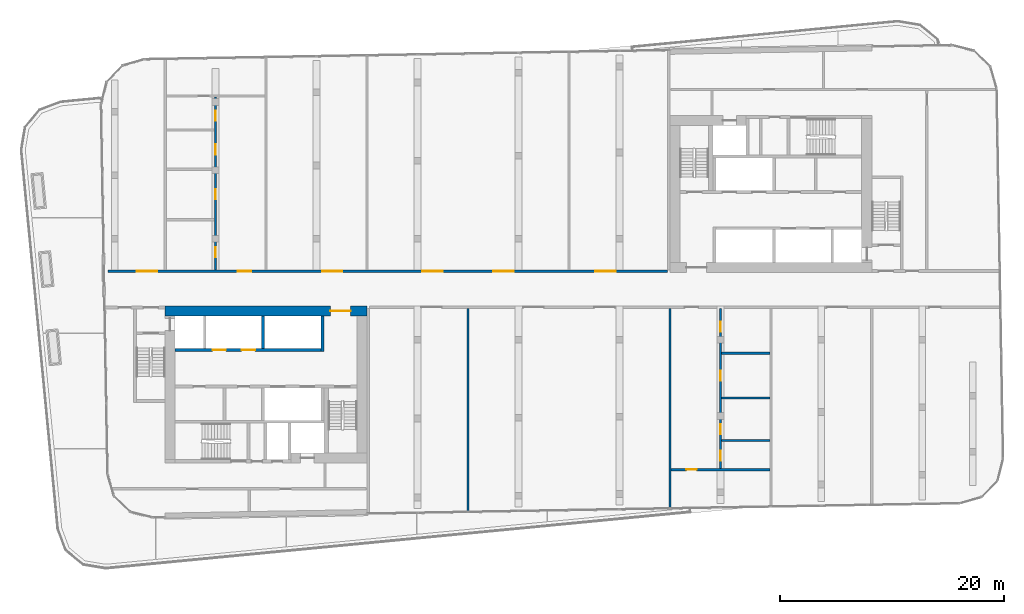
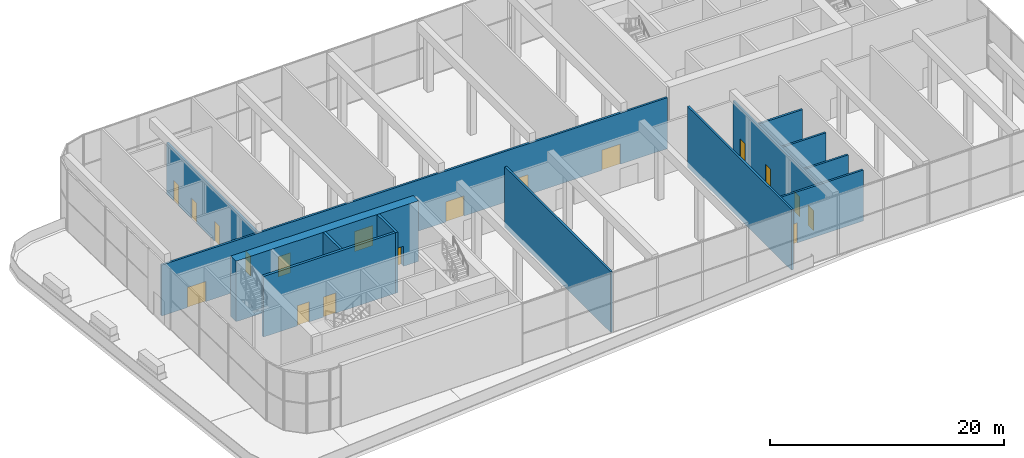
# One storey, part 13 of 24: 18 doors, 13 walls, 18 openings.
"""IFC4 building model written with IfcOpenShell, lengths in metres."""

import ifcopenshell
import ifcopenshell.guid

model = None  # the IFC model being written
_history = None  # IfcOwnerHistory: only IFC2X3 demands one
_inside = {}  # id of a spatial element -> (the spatial element, [elements in it])
_under = {}  # id of a project, library or spatial element -> (it, [spatial elements below it])
_declared = {}  # id of a project -> (the project, [libraries it declares])
_typed = {}  # id of a type object -> (the type object, [elements of that type])
_made_of = {}  # id of a material, layer set ... -> (it, [elements and type objects made of it])


def new_model(schema):
    """Start an empty IFC model of exactly this schema.

    Asked for "IFC4X3", IfcOpenShell would pick the latest addendum, in which some entities
    have other attributes; the version numbers below select the first issue.
    IFC2X3 requires an IfcOwnerHistory on every rooted entity: one is made here for all.
    """
    global model, _history
    if schema == "IFC4X3":
        model = ifcopenshell.file(schema_version=(4, 3, 0, 0))
    else:
        model = ifcopenshell.file(schema=schema)
    _inside.clear()
    _under.clear()
    _declared.clear()
    _typed.clear()
    _made_of.clear()
    _history = None
    if model.schema == "IFC2X3":
        org = make("IfcOrganization", Name="unknown")
        user = make(
            "IfcPersonAndOrganization",
            ThePerson=make("IfcPerson", FamilyName="unknown"),
            TheOrganization=org,
        )
        app = make(
            "IfcApplication",
            ApplicationDeveloper=org,
            Version="unknown",
            ApplicationFullName="unknown",
            ApplicationIdentifier="unknown",
        )
        _history = make(
            "IfcOwnerHistory",
            OwningUser=user,
            OwningApplication=app,
            ChangeAction="ADDED",
            CreationDate=0,
        )
    return model


def make(cls, **values):
    """One entity of the class cls with the attributes given. An attribute that is None is left unset."""
    return model.create_entity(
        cls, **{name: value for name, value in values.items() if value is not None}
    )


def rooted(cls, **values):
    """An entity with a GlobalId (a new one), such as an element, a storey or a relation."""
    return make(cls, GlobalId=ifcopenshell.guid.new(), OwnerHistory=_history, **values)


def si_unit(unit_type, name, prefix=None):
    """IfcSIUnit, for example si_unit("LENGTHUNIT", "METRE", prefix="MILLI")."""
    return make("IfcSIUnit", UnitType=unit_type, Prefix=prefix, Name=name)


def assignment(units):
    """IfcUnitAssignment: the units of a project."""
    return None if units is None else make("IfcUnitAssignment", Units=units)


def point(xyz):
    """IfcCartesianPoint."""
    return None if xyz is None else make("IfcCartesianPoint", Coordinates=xyz)


def direction(xyz):
    """IfcDirection."""
    return None if xyz is None else make("IfcDirection", DirectionRatios=xyz)


def frame(location, z_axis=None, x_axis=None):
    """IfcAxis2Placement3D, a coordinate frame: its origin and axes. An axis left out is left unset."""
    return make(
        "IfcAxis2Placement3D",
        Location=point(location),
        Axis=direction(z_axis),
        RefDirection=direction(x_axis),
    )


def frame_2d(location, x_axis=None):
    """IfcAxis2Placement2D, a coordinate frame in the plane: its origin and x axis."""
    return make(
        "IfcAxis2Placement2D", Location=point(location), RefDirection=direction(x_axis)
    )


def origin():
    """The frame at (0, 0, 0) with its axes left unset."""
    return frame((0.0, 0.0, 0.0))


def place(relative_to, where):
    """IfcLocalPlacement: puts the frame where relative to a parent placement (None: the world)."""
    return make(
        "IfcLocalPlacement", PlacementRelTo=relative_to, RelativePlacement=where
    )


def context(
    kind, dimensions, precision=None, world=None, true_north=None, identifier=None
):
    """IfcGeometricRepresentationContext, for example the 3D "Model" context."""
    return make(
        "IfcGeometricRepresentationContext",
        ContextIdentifier=identifier,
        ContextType=kind,
        CoordinateSpaceDimension=dimensions,
        Precision=precision,
        WorldCoordinateSystem=world,
        TrueNorth=true_north,
    )


def subcontext(parent, identifier, kind, view, scale=None):
    """IfcGeometricRepresentationSubContext, for example "Body" below "Model"."""
    return make(
        "IfcGeometricRepresentationSubContext",
        ContextIdentifier=identifier,
        ContextType=kind,
        ParentContext=parent,
        TargetScale=scale,
        TargetView=view,
    )


def project(units=None, contexts=None):
    """IfcProject with its units and contexts."""
    return rooted(
        "IfcProject",
        Name="project",
        RepresentationContexts=contexts,
        UnitsInContext=assignment(units),
    )


def spatial(cls, under=None, at=None, **own):
    """A site, building, storey or space (cls), placed at a placement, below another one or the project."""
    s = rooted(cls, ObjectPlacement=at, **own)
    if under is not None:
        _under.setdefault(under.id(), (under, []))[1].append(s)
    return s


def profile(cls, at=None, kind="AREA", **sizes):
    """A parametric profile (cls). Its sizes go by their IFC names, for example OverallWidth=200.0."""
    return make(cls, ProfileType=kind, Position=at, **sizes)


def rectangle(**sizes):
    """IfcRectangleProfileDef."""
    return profile("IfcRectangleProfileDef", **sizes)


def extrude(swept, where, along, depth):
    """IfcExtrudedAreaSolid: the profile swept, set in the frame where, extruded along a direction by depth."""
    return make(
        "IfcExtrudedAreaSolid",
        SweptArea=swept,
        Position=where,
        ExtrudedDirection=direction(along),
        Depth=depth,
    )


def shape(context_of_items, identifier, shape_type, items):
    """IfcShapeRepresentation: the items that make up one representation, for example the "Body"."""
    return make(
        "IfcShapeRepresentation",
        ContextOfItems=context_of_items,
        RepresentationIdentifier=identifier,
        RepresentationType=shape_type,
        Items=items,
    )


def material(Name=None, Category=None):
    """IfcMaterial."""
    return make("IfcMaterial", Name=Name, Category=Category)


def layer(
    of_material, thickness, ventilated=None, Name=None, Category=None, Priority=None
):
    """IfcMaterialLayer: one layer of a wall or slab, of a material (None: an air gap)."""
    return make(
        "IfcMaterialLayer",
        Material=of_material,
        LayerThickness=thickness,
        IsVentilated=ventilated,
        Name=Name,
        Category=Category,
        Priority=Priority,
    )


def layer_set(layers, Name=None):
    """IfcMaterialLayerSet."""
    return make("IfcMaterialLayerSet", MaterialLayers=layers, LayerSetName=Name)


def made_of(thing, what):
    """Note that an element or type object is made of a material, layer set ...; save() writes the relation."""
    if what is not None:
        _made_of.setdefault(what.id(), (what, []))[1].append(thing)
    return thing


def type_object(cls, material=None, **own):
    """A type object (cls), such as IfcWallType, which elements share."""
    return made_of(rooted(cls, **own), material)


def element(
    cls,
    number,
    at=None,
    inside=None,
    cuts=None,
    type_object=None,
    material=None,
    context=None,
    identifier="Body",
    shape_type=None,
    held_by="IfcProductDefinitionShape",
    body=None,
    shapes=None,
    **own,
):
    """One element of the class cls, such as IfcWall. Its Tag is "e" and its number.

    at: its placement. inside: the storey or other place that contains it. cuts: it is an
    opening in that element (IfcRelVoidsElement). A single representation is given by context,
    identifier, shape_type and body (its items); several are given by shapes. held_by: the class
    of the entity that holds the representations. save() writes the other relations.
    """
    e = rooted(cls, Tag="e%d" % number, ObjectPlacement=at, **own)
    if body is not None:
        shapes = [shape(context, identifier, shape_type, body)]
    if shapes is not None:
        e.Representation = make(held_by, Representations=shapes)
    if inside is not None:
        _inside.setdefault(inside.id(), (inside, []))[1].append(e)
    if cuts is not None:
        rooted(
            "IfcRelVoidsElement", RelatingBuildingElement=cuts, RelatedOpeningElement=e
        )
    if type_object is not None:
        _typed.setdefault(type_object.id(), (type_object, []))[1].append(e)
    return made_of(e, material)


def fill(opening, filler):
    """IfcRelFillsElement: the door or window that sits in an opening."""
    return rooted(
        "IfcRelFillsElement",
        RelatingOpeningElement=opening,
        RelatedBuildingElement=filler,
    )


def aggregate(whole, parts):
    """IfcRelAggregates: a whole, such as a stair, and the parts it consists of."""
    return rooted("IfcRelAggregates", RelatingObject=whole, RelatedObjects=parts)


def save(model, path):
    """Write the relations noted so far, then the file.

    IfcRelAggregates (storeys below a building ...), IfcRelContainedInSpatialStructure (elements
    in a storey), IfcRelDefinesByType, IfcRelAssociatesMaterial and IfcRelDeclares: one each for
    every whole, place, type object, material and project.
    """
    for whole, parts in _under.values():
        aggregate(whole, parts)
    for where, things in _inside.values():
        rooted(
            "IfcRelContainedInSpatialStructure",
            RelatedElements=things,
            RelatingStructure=where,
        )
    for kind, things in _typed.values():
        rooted("IfcRelDefinesByType", RelatedObjects=things, RelatingType=kind)
    for what, things in _made_of.values():
        rooted("IfcRelAssociatesMaterial", RelatedObjects=things, RelatingMaterial=what)
    for by, libraries in _declared.values():
        rooted("IfcRelDeclares", RelatingContext=by, RelatedDefinitions=libraries)
    model.write(path)


model = new_model("IFC4")

# Units and contexts
model_context = context("Model", 3, precision=1e-05, world=origin(), true_north=direction((0.0, 1.0)))
body_context = subcontext(model_context, "Body", "Model", "MODEL_VIEW")
ifc_project = project(units=[si_unit("LENGTHUNIT", "METRE"), si_unit("AREAUNIT", "SQUARE_METRE"), si_unit("VOLUMEUNIT", "CUBIC_METRE"), si_unit("PLANEANGLEUNIT", "RADIAN"), si_unit("MASSUNIT", "GRAM", prefix="KILO")], contexts=[model_context])

# Site, building, storey
site_placement = place(None, origin())
site = spatial("IfcSite", under=ifc_project, at=site_placement, CompositionType="ELEMENT")
building_placement = place(site_placement, origin())
building = spatial("IfcBuilding", under=site, at=building_placement, Name="Kajstack Hotel Tower", CompositionType="ELEMENT")
storey_placement = place(building_placement, frame((0.0, 0.0, 211.10009765625)))
storey = spatial("IfcBuildingStorey", under=building, at=storey_placement, Name="L51", CompositionType="ELEMENT", Elevation=211.10009765625)

# Wall, opening, door
ifc_material_1 = material(Name="Concrete C60/75", Category="concrete")
ifc_layer_1 = layer(ifc_material_1, 0.89990234375)
ifc_layer_set_1 = layer_set([ifc_layer_1], Name="Core wall 900")
wall_type_1 = type_object("IfcWallType", Name="Core wall 900", PredefinedType="SHEAR", material=ifc_layer_set_1)
wall_1_placement = place(storey_placement, frame((-31.5, -1.949951171875, 0.0), z_axis=(0.0, 0.0, 1.0), x_axis=(1.0, 0.0, 0.0)))
wall_1 = element("IfcWall", 1, at=wall_1_placement, inside=storey, type_object=wall_type_1, Name="Core wall W RN", PredefinedType="SHEAR", context=body_context, shape_type="SweptSolid", body=[
    extrude(rectangle(XDim=18.0, YDim=0.89990234375, at=frame_2d((9.0, 0.0))), origin(), (0.0, 0.0, 1.0), 6.31982421875),
])
opening_1_placement = place(wall_1_placement, frame((14.72509765625, 0.0, 0.0)))
opening_1 = element("IfcOpeningElement", 2, at=opening_1_placement, cuts=wall_1, Name="Opening 51W07", PredefinedType="OPENING", context=body_context, shape_type="SweptSolid", body=[
    extrude(rectangle(XDim=1.800048828125, YDim=2.10009765625, at=frame_2d((0.89990234375, 1.050048828125))), frame((0.0, 0.4599609375, 0.0), z_axis=(0.0, -1.0, 0.0), x_axis=(1.0, 0.0, 0.0)), (0.0, 0.0, 1.0), 0.919921875),
])
ifc_material_2 = material(Name="Glazed steel frame, fire-rated glass", Category="steel")
door_type_1 = type_object("IfcDoorType", Name="Lobby double door 1800", OperationType="DOUBLE_DOOR_DOUBLE_SWING", PredefinedType="DOOR", material=ifc_material_2)
door_1_placement = place(opening_1_placement, origin())
door_1 = element("IfcDoor", 3, at=door_1_placement, inside=storey, type_object=door_type_1, Name="Door 51W07", OperationType="DOUBLE_DOOR_DOUBLE_SWING", OverallHeight=2.10009765625, OverallWidth=1.800048828125, PredefinedType="DOOR", context=body_context, shape_type="SweptSolid", body=[
    extrude(rectangle(XDim=1.800048828125, YDim=2.10009765625, at=frame_2d((0.89990234375, 1.050048828125))), frame((0.0, 0.02490234375, 0.0), z_axis=(0.0, -1.0, 0.0), x_axis=(1.0, 0.0, 0.0)), (0.0, 0.0, 1.0), 0.050048828125),
])
fill(opening_1, door_1)

# Wall
ifc_material_3 = material(Name="Concrete C50/60", Category="concrete")
ifc_layer_2 = layer(ifc_material_3, 0.300048828125)
ifc_layer_set_2 = layer_set([ifc_layer_2], Name="Hoistway divider wall 300")
wall_type_2 = type_object("IfcWallType", Name="Hoistway divider wall 300", PredefinedType="SHEAR", material=ifc_layer_set_2)
wall_2_placement = place(storey_placement, frame((-22.77490234375, -5.300048828125, 0.0), z_axis=(0.0, 0.0, 1.0), x_axis=(0.0, 1.0, 0.0)))
element("IfcWall", 4, at=wall_2_placement, inside=storey, type_object=wall_type_2, Name="Core wall W AP2", PredefinedType="SHEAR", context=body_context, shape_type="SweptSolid", body=[
    extrude(rectangle(XDim=2.900146484375, YDim=0.25, at=frame_2d((1.4501953125, 0.0))), origin(), (0.0, 0.0, 1.0), 6.31982421875),
])

# Wall, openings, doors
ifc_material_4 = material(Name="Gypsum board on steel studs, mineral wool", Category="steel")
ifc_layer_3 = layer(ifc_material_4, 0.199951171875)
ifc_layer_set_3 = layer_set([ifc_layer_3], Name="Public partition 200")
wall_type_3 = type_object("IfcWallType", Name="Public partition 200", PredefinedType="PARTITIONING", material=ifc_layer_set_3)
wall_3_placement = place(storey_placement, frame((-27.0, 1.699951171875, 0.0), z_axis=(0.0, 0.0, 1.0), x_axis=(0.0, 1.0, 0.0)))
wall_3 = element("IfcWall", 5, at=wall_3_placement, inside=storey, type_object=wall_type_3, Name="Partition C3CW", PredefinedType="PARTITIONING", context=body_context, shape_type="SweptSolid", body=[
    extrude(rectangle(XDim=15.429443359375, YDim=0.199951171875, at=frame_2d((7.71484375, 0.0))), origin(), (0.0, 0.0, 1.0), 5.31982421875),
])
opening_2_placement = place(wall_3_placement, frame((1.14990234375, 0.0, 0.0)))
opening_2 = element("IfcOpeningElement", 6, at=opening_2_placement, cuts=wall_3, Name="Opening 51P06", PredefinedType="OPENING", context=body_context, shape_type="SweptSolid", body=[
    extrude(rectangle(XDim=0.89990234375, YDim=2.10009765625, at=frame_2d((0.449951171875, 1.050048828125))), frame((0.0, 0.10986328125, 0.0), z_axis=(0.0, -1.0, 0.0), x_axis=(1.0, 0.0, 0.0)), (0.0, 0.0, 1.0), 0.219970703125),
])
opening_3_placement = place(wall_3_placement, frame((6.300048828125, 0.0, 0.0)))
opening_3 = element("IfcOpeningElement", 7, at=opening_3_placement, cuts=wall_3, Name="Opening 51P07", PredefinedType="OPENING", context=body_context, shape_type="SweptSolid", body=[
    extrude(rectangle(XDim=0.89990234375, YDim=2.10009765625, at=frame_2d((0.449951171875, 1.050048828125))), frame((0.0, 0.10986328125, 0.0), z_axis=(0.0, -1.0, 0.0), x_axis=(1.0, 0.0, 0.0)), (0.0, 0.0, 1.0), 0.219970703125),
])
opening_4_placement = place(wall_3_placement, frame((10.300048828125, 0.0, 0.0)))
opening_4 = element("IfcOpeningElement", 8, at=opening_4_placement, cuts=wall_3, Name="Opening 51P08", PredefinedType="OPENING", context=body_context, shape_type="SweptSolid", body=[
    extrude(rectangle(XDim=0.89990234375, YDim=2.10009765625, at=frame_2d((0.449951171875, 1.050048828125))), frame((0.0, 0.10986328125, 0.0), z_axis=(0.0, -1.0, 0.0), x_axis=(1.0, 0.0, 0.0)), (0.0, 0.0, 1.0), 0.219970703125),
])
opening_5_placement = place(wall_3_placement, frame((13.31494140625, 0.0, 0.0)))
opening_5 = element("IfcOpeningElement", 9, at=opening_5_placement, cuts=wall_3, Name="Opening 51P09", PredefinedType="OPENING", context=body_context, shape_type="SweptSolid", body=[
    extrude(rectangle(XDim=0.89990234375, YDim=2.10009765625, at=frame_2d((0.449951171875, 1.050048828125))), frame((0.0, 0.10986328125, 0.0), z_axis=(0.0, -1.0, 0.0), x_axis=(1.0, 0.0, 0.0)), (0.0, 0.0, 1.0), 0.219970703125),
])
ifc_material_5 = material(Name="Timber leaf", Category="wood")
door_type_2 = type_object("IfcDoorType", Name="Public room door 900", OperationType="SINGLE_SWING_LEFT", PredefinedType="DOOR", material=ifc_material_5)
door_2_placement = place(opening_2_placement, origin())
door_2 = element("IfcDoor", 10, at=door_2_placement, inside=storey, type_object=door_type_2, Name="Door 51P06", OperationType="SINGLE_SWING_LEFT", OverallHeight=2.10009765625, OverallWidth=0.89990234375, PredefinedType="DOOR", context=body_context, shape_type="SweptSolid", body=[
    extrude(rectangle(XDim=0.89990234375, YDim=2.10009765625, at=frame_2d((0.449951171875, 1.050048828125))), frame((0.0, 0.02490234375, 0.0), z_axis=(0.0, -1.0, 0.0), x_axis=(1.0, 0.0, 0.0)), (0.0, 0.0, 1.0), 0.050048828125),
])
fill(opening_2, door_2)
door_3_placement = place(opening_3_placement, origin())
door_3 = element("IfcDoor", 11, at=door_3_placement, inside=storey, type_object=door_type_2, Name="Door 51P07", OperationType="SINGLE_SWING_LEFT", OverallHeight=2.10009765625, OverallWidth=0.89990234375, PredefinedType="DOOR", context=body_context, shape_type="SweptSolid", body=[
    extrude(rectangle(XDim=0.89990234375, YDim=2.10009765625, at=frame_2d((0.449951171875, 1.050048828125))), frame((0.0, 0.02490234375, 0.0), z_axis=(0.0, -1.0, 0.0), x_axis=(1.0, 0.0, 0.0)), (0.0, 0.0, 1.0), 0.050048828125),
])
fill(opening_3, door_3)
door_4_placement = place(opening_4_placement, origin())
door_4 = element("IfcDoor", 12, at=door_4_placement, inside=storey, type_object=door_type_2, Name="Door 51P08", OperationType="SINGLE_SWING_LEFT", OverallHeight=2.10009765625, OverallWidth=0.89990234375, PredefinedType="DOOR", context=body_context, shape_type="SweptSolid", body=[
    extrude(rectangle(XDim=0.89990234375, YDim=2.10009765625, at=frame_2d((0.449951171875, 1.050048828125))), frame((0.0, 0.02490234375, 0.0), z_axis=(0.0, -1.0, 0.0), x_axis=(1.0, 0.0, 0.0)), (0.0, 0.0, 1.0), 0.050048828125),
])
fill(opening_4, door_4)
door_5_placement = place(opening_5_placement, origin())
door_5 = element("IfcDoor", 13, at=door_5_placement, inside=storey, type_object=door_type_2, Name="Door 51P09", OperationType="SINGLE_SWING_LEFT", OverallHeight=2.10009765625, OverallWidth=0.89990234375, PredefinedType="DOOR", context=body_context, shape_type="SweptSolid", body=[
    extrude(rectangle(XDim=0.89990234375, YDim=2.10009765625, at=frame_2d((0.449951171875, 1.050048828125))), frame((0.0, 0.02490234375, 0.0), z_axis=(0.0, -1.0, 0.0), x_axis=(1.0, 0.0, 0.0)), (0.0, 0.0, 1.0), 0.050048828125),
])
fill(opening_5, door_5)

wall_4_placement = place(storey_placement, frame((-36.57177734375, 1.60009765625, 0.0), z_axis=(0.0, 0.0, 1.0), x_axis=(1.0, 0.0, 0.0)))
wall_4 = element("IfcWall", 14, at=wall_4_placement, inside=storey, type_object=wall_type_3, Name="Partition FW", PredefinedType="PARTITIONING", context=body_context, shape_type="SweptSolid", body=[
    extrude(rectangle(XDim=49.871826171875, YDim=0.199951171875, at=frame_2d((24.93603515625, 0.0))), origin(), (0.0, 0.0, 1.0), 5.31982421875),
])
opening_6_placement = place(wall_4_placement, frame((43.421630859375, 0.0, 0.0)))
opening_6 = element("IfcOpeningElement", 15, at=opening_6_placement, cuts=wall_4, Name="Opening 51P01", PredefinedType="OPENING", context=body_context, shape_type="SweptSolid", body=[
    extrude(rectangle(XDim=1.800048828125, YDim=2.10009765625, at=frame_2d((0.89990234375, 1.050048828125))), frame((0.0, 0.10986328125, 0.0), z_axis=(0.0, -1.0, 0.0), x_axis=(1.0, 0.0, 0.0)), (0.0, 0.0, 1.0), 0.219970703125),
])
opening_7_placement = place(wall_4_placement, frame((34.331787109375, 0.0, 0.0)))
opening_7 = element("IfcOpeningElement", 16, at=opening_7_placement, cuts=wall_4, Name="Opening 51P02", PredefinedType="OPENING", context=body_context, shape_type="SweptSolid", body=[
    extrude(rectangle(XDim=1.800048828125, YDim=2.10009765625, at=frame_2d((0.89990234375, 1.050048828125))), frame((0.0, 0.10986328125, 0.0), z_axis=(0.0, -1.0, 0.0), x_axis=(1.0, 0.0, 0.0)), (0.0, 0.0, 1.0), 0.219970703125),
])
opening_8_placement = place(wall_4_placement, frame((28.01171875, 0.0, 0.0)))
opening_8 = element("IfcOpeningElement", 17, at=opening_8_placement, cuts=wall_4, Name="Opening 51P03", PredefinedType="OPENING", context=body_context, shape_type="SweptSolid", body=[
    extrude(rectangle(XDim=1.800048828125, YDim=2.10009765625, at=frame_2d((0.89990234375, 1.050048828125))), frame((0.0, 0.10986328125, 0.0), z_axis=(0.0, -1.0, 0.0), x_axis=(1.0, 0.0, 0.0)), (0.0, 0.0, 1.0), 0.219970703125),
])
opening_9_placement = place(wall_4_placement, frame((19.07177734375, 0.0, 0.0)))
opening_9 = element("IfcOpeningElement", 18, at=opening_9_placement, cuts=wall_4, Name="Opening 51P04", PredefinedType="OPENING", context=body_context, shape_type="SweptSolid", body=[
    extrude(rectangle(XDim=1.800048828125, YDim=2.10009765625, at=frame_2d((0.89990234375, 1.050048828125))), frame((0.0, 0.10986328125, 0.0), z_axis=(0.0, -1.0, 0.0), x_axis=(1.0, 0.0, 0.0)), (0.0, 0.0, 1.0), 0.219970703125),
])
opening_10_placement = place(wall_4_placement, frame((11.546630859375, 0.0, 0.0)))
opening_10 = element("IfcOpeningElement", 19, at=opening_10_placement, cuts=wall_4, Name="Opening 51P05", PredefinedType="OPENING", context=body_context, shape_type="SweptSolid", body=[
    extrude(rectangle(XDim=1.199951171875, YDim=2.10009765625, at=frame_2d((0.60009765625, 1.050048828125))), frame((0.0, 0.10986328125, 0.0), z_axis=(0.0, -1.0, 0.0), x_axis=(1.0, 0.0, 0.0)), (0.0, 0.0, 1.0), 0.219970703125),
])
opening_11_placement = place(wall_4_placement, frame((2.562744140625, 0.0, 0.0)))
opening_11 = element("IfcOpeningElement", 20, at=opening_11_placement, cuts=wall_4, Name="Opening 51P11", PredefinedType="OPENING", context=body_context, shape_type="SweptSolid", body=[
    extrude(rectangle(XDim=1.800048828125, YDim=2.10009765625, at=frame_2d((0.89990234375, 1.050048828125))), frame((0.0, 0.10986328125, 0.0), z_axis=(0.0, -1.0, 0.0), x_axis=(1.0, 0.0, 0.0)), (0.0, 0.0, 1.0), 0.219970703125),
])
ifc_material_6 = material(Name="Timber leaf, fire-rated", Category="wood")
door_type_3 = type_object("IfcDoorType", Name="Public corridor door 1200", OperationType="SINGLE_SWING_LEFT", PredefinedType="DOOR", material=ifc_material_6)
door_6_placement = place(opening_10_placement, origin())
door_6 = element("IfcDoor", 21, at=door_6_placement, inside=storey, type_object=door_type_3, Name="Door 51P05", OperationType="SINGLE_SWING_LEFT", OverallHeight=2.10009765625, OverallWidth=1.199951171875, PredefinedType="DOOR", context=body_context, shape_type="SweptSolid", body=[
    extrude(rectangle(XDim=1.199951171875, YDim=2.10009765625, at=frame_2d((0.60009765625, 1.050048828125))), frame((0.0, 0.02490234375, 0.0), z_axis=(0.0, -1.0, 0.0), x_axis=(1.0, 0.0, 0.0)), (0.0, 0.0, 1.0), 0.050048828125),
])
fill(opening_10, door_6)
ifc_material_7 = material(Name="Glazed timber frame, fire-rated glass", Category="wood")
door_type_4 = type_object("IfcDoorType", Name="Public double door 1800", OperationType="DOUBLE_DOOR_DOUBLE_SWING", PredefinedType="DOOR", material=ifc_material_7)
door_7_placement = place(opening_6_placement, origin())
door_7 = element("IfcDoor", 22, at=door_7_placement, inside=storey, type_object=door_type_4, Name="Door 51P01", OperationType="DOUBLE_DOOR_DOUBLE_SWING", OverallHeight=2.10009765625, OverallWidth=1.800048828125, PredefinedType="DOOR", context=body_context, shape_type="SweptSolid", body=[
    extrude(rectangle(XDim=1.800048828125, YDim=2.10009765625, at=frame_2d((0.89990234375, 1.050048828125))), frame((0.0, 0.02490234375, 0.0), z_axis=(0.0, -1.0, 0.0), x_axis=(1.0, 0.0, 0.0)), (0.0, 0.0, 1.0), 0.050048828125),
])
fill(opening_6, door_7)
door_8_placement = place(opening_7_placement, origin())
door_8 = element("IfcDoor", 23, at=door_8_placement, inside=storey, type_object=door_type_4, Name="Door 51P02", OperationType="DOUBLE_DOOR_DOUBLE_SWING", OverallHeight=2.10009765625, OverallWidth=1.800048828125, PredefinedType="DOOR", context=body_context, shape_type="SweptSolid", body=[
    extrude(rectangle(XDim=1.800048828125, YDim=2.10009765625, at=frame_2d((0.89990234375, 1.050048828125))), frame((0.0, 0.02490234375, 0.0), z_axis=(0.0, -1.0, 0.0), x_axis=(1.0, 0.0, 0.0)), (0.0, 0.0, 1.0), 0.050048828125),
])
fill(opening_7, door_8)
door_9_placement = place(opening_8_placement, origin())
door_9 = element("IfcDoor", 24, at=door_9_placement, inside=storey, type_object=door_type_4, Name="Door 51P03", OperationType="DOUBLE_DOOR_DOUBLE_SWING", OverallHeight=2.10009765625, OverallWidth=1.800048828125, PredefinedType="DOOR", context=body_context, shape_type="SweptSolid", body=[
    extrude(rectangle(XDim=1.800048828125, YDim=2.10009765625, at=frame_2d((0.89990234375, 1.050048828125))), frame((0.0, 0.02490234375, 0.0), z_axis=(0.0, -1.0, 0.0), x_axis=(1.0, 0.0, 0.0)), (0.0, 0.0, 1.0), 0.050048828125),
])
fill(opening_8, door_9)
door_10_placement = place(opening_9_placement, origin())
door_10 = element("IfcDoor", 25, at=door_10_placement, inside=storey, type_object=door_type_4, Name="Door 51P04", OperationType="DOUBLE_DOOR_DOUBLE_SWING", OverallHeight=2.10009765625, OverallWidth=1.800048828125, PredefinedType="DOOR", context=body_context, shape_type="SweptSolid", body=[
    extrude(rectangle(XDim=1.800048828125, YDim=2.10009765625, at=frame_2d((0.89990234375, 1.050048828125))), frame((0.0, 0.02490234375, 0.0), z_axis=(0.0, -1.0, 0.0), x_axis=(1.0, 0.0, 0.0)), (0.0, 0.0, 1.0), 0.050048828125),
])
fill(opening_9, door_10)
door_11_placement = place(opening_11_placement, origin())
door_11 = element("IfcDoor", 26, at=door_11_placement, inside=storey, type_object=door_type_4, Name="Door 51P11", OperationType="DOUBLE_DOOR_DOUBLE_SWING", OverallHeight=2.10009765625, OverallWidth=1.800048828125, PredefinedType="DOOR", context=body_context, shape_type="SweptSolid", body=[
    extrude(rectangle(XDim=1.800048828125, YDim=2.10009765625, at=frame_2d((0.89990234375, 1.050048828125))), frame((0.0, 0.02490234375, 0.0), z_axis=(0.0, -1.0, 0.0), x_axis=(1.0, 0.0, 0.0)), (0.0, 0.0, 1.0), 0.050048828125),
])
fill(opening_11, door_11)

# Walls
wall_5_placement = place(storey_placement, frame((-4.5, -19.783935546875, 0.0), z_axis=(0.0, 0.0, 1.0), x_axis=(0.0, 1.0, 0.0)))
element("IfcWall", 27, at=wall_5_placement, inside=storey, type_object=wall_type_3, Name="Partition SPX0", PredefinedType="PARTITIONING", context=body_context, shape_type="SweptSolid", body=[
    extrude(rectangle(XDim=18.083984375, YDim=0.199951171875, at=frame_2d((9.0419921875, 0.0))), origin(), (0.0, 0.0, 1.0), 6.31982421875),
])
wall_6_placement = place(storey_placement, frame((13.5, -19.4697265625, 0.0), z_axis=(0.0, 0.0, 1.0), x_axis=(0.0, 1.0, 0.0)))
element("IfcWall", 28, at=wall_6_placement, inside=storey, type_object=wall_type_3, Name="Partition SPX1", PredefinedType="PARTITIONING", context=body_context, shape_type="SweptSolid", body=[
    extrude(rectangle(XDim=17.769775390625, YDim=0.199951171875, at=frame_2d((8.884765625, 0.0))), origin(), (0.0, 0.0, 1.0), 6.31982421875),
])

# Wall, openings, doors
wall_7_placement = place(storey_placement, frame((18.0, -15.9912109375, 0.0), z_axis=(0.0, 0.0, 1.0), x_axis=(0.0, 1.0, 0.0)))
wall_7 = element("IfcWall", 29, at=wall_7_placement, inside=storey, type_object=wall_type_3, Name="Partition SC2CW", PredefinedType="PARTITIONING", context=body_context, shape_type="SweptSolid", body=[
    extrude(rectangle(XDim=14.291259765625, YDim=0.199951171875, at=frame_2d((7.1455078125, 0.0))), origin(), (0.0, 0.0, 1.0), 5.31982421875),
])
opening_12_placement = place(wall_7_placement, frame((12.191162109375, 0.0, 0.0)))
opening_12 = element("IfcOpeningElement", 30, at=opening_12_placement, cuts=wall_7, Name="Opening 51P16", PredefinedType="OPENING", context=body_context, shape_type="SweptSolid", body=[
    extrude(rectangle(XDim=0.89990234375, YDim=2.10009765625, at=frame_2d((0.449951171875, 1.050048828125))), frame((0.0, 0.10986328125, 0.0), z_axis=(0.0, -1.0, 0.0), x_axis=(1.0, 0.0, 0.0)), (0.0, 0.0, 1.0), 0.219970703125),
])
opening_13_placement = place(wall_7_placement, frame((7.84130859375, 0.0, 0.0)))
opening_13 = element("IfcOpeningElement", 31, at=opening_13_placement, cuts=wall_7, Name="Opening 51P17", PredefinedType="OPENING", context=body_context, shape_type="SweptSolid", body=[
    extrude(rectangle(XDim=0.89990234375, YDim=2.10009765625, at=frame_2d((0.449951171875, 1.050048828125))), frame((0.0, 0.10986328125, 0.0), z_axis=(0.0, -1.0, 0.0), x_axis=(1.0, 0.0, 0.0)), (0.0, 0.0, 1.0), 0.219970703125),
])
opening_14_placement = place(wall_7_placement, frame((3.041259765625, 0.0, 0.0)))
opening_14 = element("IfcOpeningElement", 32, at=opening_14_placement, cuts=wall_7, Name="Opening 51P18", PredefinedType="OPENING", context=body_context, shape_type="SweptSolid", body=[
    extrude(rectangle(XDim=0.89990234375, YDim=2.10009765625, at=frame_2d((0.449951171875, 1.050048828125))), frame((0.0, 0.10986328125, 0.0), z_axis=(0.0, -1.0, 0.0), x_axis=(1.0, 0.0, 0.0)), (0.0, 0.0, 1.0), 0.219970703125),
])
opening_15_placement = place(wall_7_placement, frame((0.6953125, 0.0, 0.0)))
opening_15 = element("IfcOpeningElement", 33, at=opening_15_placement, cuts=wall_7, Name="Opening 51P19", PredefinedType="OPENING", context=body_context, shape_type="SweptSolid", body=[
    extrude(rectangle(XDim=0.89990234375, YDim=2.10009765625, at=frame_2d((0.449951171875, 1.050048828125))), frame((0.0, 0.10986328125, 0.0), z_axis=(0.0, -1.0, 0.0), x_axis=(1.0, 0.0, 0.0)), (0.0, 0.0, 1.0), 0.219970703125),
])
door_12_placement = place(opening_12_placement, origin())
door_12 = element("IfcDoor", 34, at=door_12_placement, inside=storey, type_object=door_type_2, Name="Door 51P16", OperationType="SINGLE_SWING_RIGHT", OverallHeight=2.10009765625, OverallWidth=0.89990234375, PredefinedType="DOOR", context=body_context, shape_type="SweptSolid", body=[
    extrude(rectangle(XDim=0.89990234375, YDim=2.10009765625, at=frame_2d((0.449951171875, 1.050048828125))), frame((0.0, 0.02490234375, 0.0), z_axis=(0.0, -1.0, 0.0), x_axis=(1.0, 0.0, 0.0)), (0.0, 0.0, 1.0), 0.050048828125),
])
fill(opening_12, door_12)
door_13_placement = place(opening_13_placement, origin())
door_13 = element("IfcDoor", 35, at=door_13_placement, inside=storey, type_object=door_type_2, Name="Door 51P17", OperationType="SINGLE_SWING_RIGHT", OverallHeight=2.10009765625, OverallWidth=0.89990234375, PredefinedType="DOOR", context=body_context, shape_type="SweptSolid", body=[
    extrude(rectangle(XDim=0.89990234375, YDim=2.10009765625, at=frame_2d((0.449951171875, 1.050048828125))), frame((0.0, 0.02490234375, 0.0), z_axis=(0.0, -1.0, 0.0), x_axis=(1.0, 0.0, 0.0)), (0.0, 0.0, 1.0), 0.050048828125),
])
fill(opening_13, door_13)
door_14_placement = place(opening_14_placement, origin())
door_14 = element("IfcDoor", 36, at=door_14_placement, inside=storey, type_object=door_type_2, Name="Door 51P18", OperationType="SINGLE_SWING_RIGHT", OverallHeight=2.10009765625, OverallWidth=0.89990234375, PredefinedType="DOOR", context=body_context, shape_type="SweptSolid", body=[
    extrude(rectangle(XDim=0.89990234375, YDim=2.10009765625, at=frame_2d((0.449951171875, 1.050048828125))), frame((0.0, 0.02490234375, 0.0), z_axis=(0.0, -1.0, 0.0), x_axis=(1.0, 0.0, 0.0)), (0.0, 0.0, 1.0), 0.050048828125),
])
fill(opening_14, door_14)
door_15_placement = place(opening_15_placement, origin())
door_15 = element("IfcDoor", 37, at=door_15_placement, inside=storey, type_object=door_type_2, Name="Door 51P19", OperationType="SINGLE_SWING_RIGHT", OverallHeight=2.10009765625, OverallWidth=0.89990234375, PredefinedType="DOOR", context=body_context, shape_type="SweptSolid", body=[
    extrude(rectangle(XDim=0.89990234375, YDim=2.10009765625, at=frame_2d((0.449951171875, 1.050048828125))), frame((0.0, 0.02490234375, 0.0), z_axis=(0.0, -1.0, 0.0), x_axis=(1.0, 0.0, 0.0)), (0.0, 0.0, 1.0), 0.050048828125),
])
fill(opening_15, door_15)

# Walls
for number, where, z_axis, x_axis, name in (
    (38, (18.10009765625, -5.699951171875, 0.0), (0.0, 0.0, 1.0), (1.0, 0.0, 0.0), "Partition SC2wP0"),
    (39, (18.10009765625, -9.699951171875, 0.0), (0.0, 0.0, 1.0), (1.0, 0.0, 0.0), "Partition SC2wP1"),
    (40, (18.10009765625, -13.5, 0.0), (0.0, 0.0, 1.0), (1.0, 0.0, 0.0), "Partition SC2wP2"),
):
    element("IfcWall", number, at=place(storey_placement, frame(where, z_axis=z_axis, x_axis=x_axis)), inside=storey, type_object=wall_type_3, Name=name, PredefinedType="PARTITIONING", context=body_context, shape_type="SweptSolid", body=[
        extrude(rectangle(XDim=4.2998046875, YDim=0.199951171875, at=frame_2d((2.14990234375, 0.0))), origin(), (0.0, 0.0, 1.0), 5.31982421875),
    ])

# Wall, opening, door
wall_8_placement = place(storey_placement, frame((13.60009765625, -16.09130859375, 0.0), z_axis=(0.0, 0.0, 1.0), x_axis=(1.0, 0.0, 0.0)))
wall_8 = element("IfcWall", 41, at=wall_8_placement, inside=storey, type_object=wall_type_3, Name="Partition SC2BW", PredefinedType="PARTITIONING", context=body_context, shape_type="SweptSolid", body=[
    extrude(rectangle(XDim=8.7998046875, YDim=0.199951171875, at=frame_2d((4.39990234375, 0.0))), origin(), (0.0, 0.0, 1.0), 5.31982421875),
])
opening_16_placement = place(wall_8_placement, frame((1.375, 0.0, 0.0)))
opening_16 = element("IfcOpeningElement", 42, at=opening_16_placement, cuts=wall_8, Name="Opening 51P20", PredefinedType="OPENING", context=body_context, shape_type="SweptSolid", body=[
    extrude(rectangle(XDim=0.89990234375, YDim=2.10009765625, at=frame_2d((0.449951171875, 1.050048828125))), frame((0.0, 0.10986328125, 0.0), z_axis=(0.0, -1.0, 0.0), x_axis=(1.0, 0.0, 0.0)), (0.0, 0.0, 1.0), 0.219970703125),
])
door_16_placement = place(opening_16_placement, origin())
door_16 = element("IfcDoor", 43, at=door_16_placement, inside=storey, type_object=door_type_2, Name="Door 51P20", OperationType="SINGLE_SWING_RIGHT", OverallHeight=2.10009765625, OverallWidth=0.89990234375, PredefinedType="DOOR", context=body_context, shape_type="SweptSolid", body=[
    extrude(rectangle(XDim=0.89990234375, YDim=2.10009765625, at=frame_2d((0.449951171875, 1.050048828125))), frame((0.0, 0.02490234375, 0.0), z_axis=(0.0, -1.0, 0.0), x_axis=(1.0, 0.0, 0.0)), (0.0, 0.0, 1.0), 0.050048828125),
])
fill(opening_16, door_16)

# Wall, openings, doors
ifc_layer_4 = layer(ifc_material_3, 0.25)
ifc_layer_set_4 = layer_set([ifc_layer_4], Name="Shaft wall 250")
wall_type_4 = type_object("IfcWallType", Name="Shaft wall 250", PredefinedType="SHEAR", material=ifc_layer_set_4)
wall_9_placement = place(storey_placement, frame((-30.60009765625, -5.425048828125, 0.0), z_axis=(0.0, 0.0, 1.0), x_axis=(1.0, 0.0, 0.0)))
wall_9 = element("IfcWall", 44, at=wall_9_placement, inside=storey, type_object=wall_type_4, Name="Core wall W FA", PredefinedType="SHEAR", context=body_context, shape_type="SweptSolid", body=[
    extrude(rectangle(XDim=13.0, YDim=0.25, at=frame_2d((6.5, 0.0))), origin(), (0.0, 0.0, 1.0), 6.31982421875),
])
opening_17_placement = place(wall_9_placement, frame((3.324951171875, 0.0, 0.0)))
opening_17 = element("IfcOpeningElement", 45, at=opening_17_placement, cuts=wall_9, Name="Opening LD-MR3", PredefinedType="OPENING", context=body_context, shape_type="SweptSolid", body=[
    extrude(rectangle(XDim=1.199951171875, YDim=2.10009765625, at=frame_2d((0.60009765625, 1.050048828125))), frame((0.0, 0.135009765625, 0.0), z_axis=(0.0, -1.0, 0.0), x_axis=(1.0, 0.0, 0.0)), (0.0, 0.0, 1.0), 0.27001953125),
])
opening_18_placement = place(wall_9_placement, frame((5.925048828125, 0.0, 0.0)))
opening_18 = element("IfcOpeningElement", 46, at=opening_18_placement, cuts=wall_9, Name="Opening LD-MR4", PredefinedType="OPENING", context=body_context, shape_type="SweptSolid", body=[
    extrude(rectangle(XDim=1.199951171875, YDim=2.10009765625, at=frame_2d((0.60009765625, 1.050048828125))), frame((0.0, 0.135009765625, 0.0), z_axis=(0.0, -1.0, 0.0), x_axis=(1.0, 0.0, 0.0)), (0.0, 0.0, 1.0), 0.27001953125),
])
ifc_material_8 = material(Name="Stainless steel", Category="steel")
door_type_5 = type_object("IfcDoorType", Name="Lift landing door 1200", OperationType="SLIDING_TO_LEFT", PredefinedType="DOOR", material=ifc_material_8)
door_17_placement = place(opening_17_placement, origin())
door_17 = element("IfcDoor", 47, at=door_17_placement, inside=storey, type_object=door_type_5, Name="Landing door MR3", OperationType="SLIDING_TO_RIGHT", OverallHeight=2.10009765625, OverallWidth=1.199951171875, PredefinedType="DOOR", context=body_context, shape_type="SweptSolid", body=[
    extrude(rectangle(XDim=1.199951171875, YDim=2.10009765625, at=frame_2d((0.60009765625, 1.050048828125))), frame((0.0, 0.02490234375, 0.0), z_axis=(0.0, -1.0, 0.0), x_axis=(1.0, 0.0, 0.0)), (0.0, 0.0, 1.0), 0.050048828125),
])
fill(opening_17, door_17)
door_18_placement = place(opening_18_placement, origin())
door_18 = element("IfcDoor", 48, at=door_18_placement, inside=storey, type_object=door_type_5, Name="Landing door MR4", OperationType="SLIDING_TO_RIGHT", OverallHeight=2.10009765625, OverallWidth=1.199951171875, PredefinedType="DOOR", context=body_context, shape_type="SweptSolid", body=[
    extrude(rectangle(XDim=1.199951171875, YDim=2.10009765625, at=frame_2d((0.60009765625, 1.050048828125))), frame((0.0, 0.02490234375, 0.0), z_axis=(0.0, -1.0, 0.0), x_axis=(1.0, 0.0, 0.0)), (0.0, 0.0, 1.0), 0.050048828125),
])
fill(opening_18, door_18)

# Wall
wall_10_placement = place(storey_placement, frame((-17.47509765625, -5.550048828125, 0.0), z_axis=(0.0, 0.0, 1.0), x_axis=(0.0, 1.0, 0.0)))
element("IfcWall", 49, at=wall_10_placement, inside=storey, type_object=wall_type_4, Name="Core wall W AE", PredefinedType="SHEAR", context=body_context, shape_type="SweptSolid", body=[
    extrude(rectangle(XDim=3.150146484375, YDim=0.25, at=frame_2d((1.5751953125, 0.0))), origin(), (0.0, 0.0, 1.0), 6.31982421875),
])

save(model, "model.ifc")
